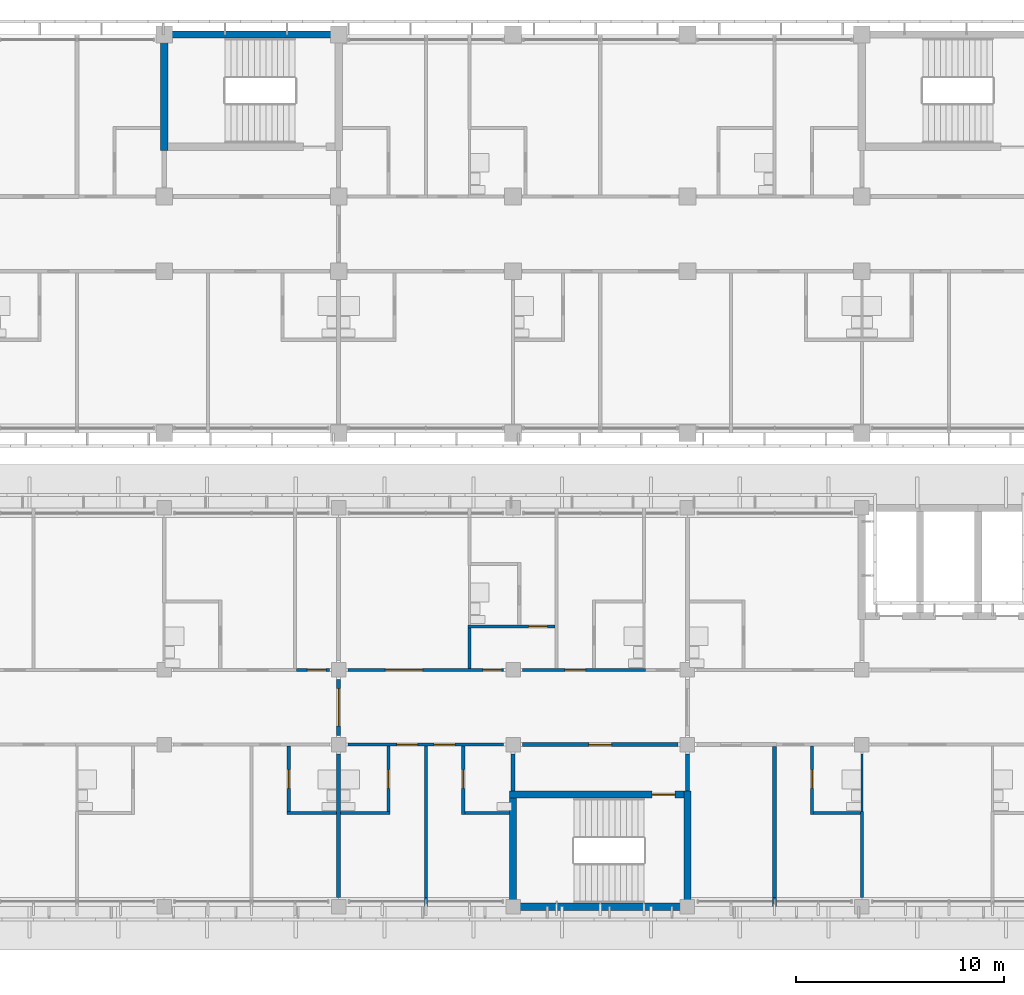
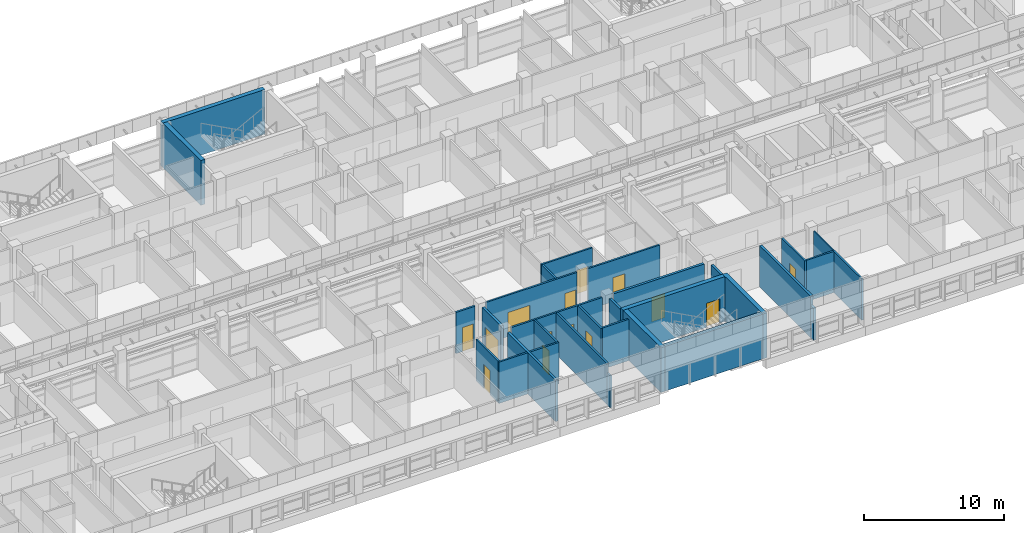
# One storey, part 33 of 71: 31 walls, 14 doors, 14 openings.
"""IFC4 building model written with IfcOpenShell, lengths in metres."""

from ifc_helpers import new_model, si_unit, direction, frame, frame_2d, origin, place, context, subcontext, project, spatial, rectangle, extrude, material, layer, layer_set, type_object, element, fill, save


model = new_model("IFC4")

# Units and contexts
model_context = context("Model", 3, precision=1e-05, world=origin(), true_north=direction((0.0, 1.0)))
body_context = subcontext(model_context, "Body", "Model", "MODEL_VIEW")
ifc_project = project(units=[si_unit("LENGTHUNIT", "METRE"), si_unit("AREAUNIT", "SQUARE_METRE"), si_unit("VOLUMEUNIT", "CUBIC_METRE"), si_unit("PLANEANGLEUNIT", "RADIAN"), si_unit("MASSUNIT", "GRAM", prefix="KILO")], contexts=[model_context])

# Site, building, storey
site_placement = place(None, origin())
site = spatial("IfcSite", under=ifc_project, at=site_placement, CompositionType="ELEMENT")
building_placement = place(site_placement, origin())
building = spatial("IfcBuilding", under=site, at=building_placement, Name="Bougainvillea Quay General Hospital", CompositionType="ELEMENT")
storey_placement = place(building_placement, frame((0.0, 0.0, 24.89990234375)))
storey = spatial("IfcBuildingStorey", under=building, at=storey_placement, Name="L05", CompositionType="ELEMENT", Elevation=24.89990234375)

# Walls
ifc_material_1 = material(Name="Gypsum board partition on steel studs", Category="steel")
ifc_layer_1 = layer(ifc_material_1, 0.10009765625)
ifc_layer_set_1 = layer_set([ifc_layer_1], Name="Gypsum board partition on steel studs")
wall_type_1 = type_object("IfcWallType", Name="Partition 100 Gypsum board partition", PredefinedType="PARTITIONING", material=ifc_layer_set_1)
wall_1_placement = place(storey_placement, frame((134.39990234375, 122.175048828125, 0.0), z_axis=(0.0, 0.0, 1.0), x_axis=(0.0, 1.0, 0.0)))
element("IfcWall", 1, at=wall_1_placement, inside=storey, type_object=wall_type_1, Name="Partition 100 mm", PredefinedType="PARTITIONING", context=body_context, shape_type="SweptSolid", body=[
    extrude(rectangle(XDim=2.77490234375, YDim=0.10009765625, at=frame_2d((1.387451171875, 0.0))), origin(), (0.0, 0.0, 1.0), 3.60009765625),
])
ifc_material_2 = material(Name="Gypsum board partition on steel studs, insulated", Category="steel")
ifc_layer_2 = layer(ifc_material_2, 0.14990234375)
ifc_layer_set_2 = layer_set([ifc_layer_2], Name="Gypsum board partition on steel studs, insulated")
wall_type_2 = type_object("IfcWallType", Name="Partition 150 Gypsum board partition", PredefinedType="PARTITIONING", material=ifc_layer_set_2)
wall_2_placement = place(storey_placement, frame((113.39990234375, 117.60009765625, 0.0), z_axis=(0.0, 0.0, 1.0), x_axis=(0.0, 1.0, 0.0)))
element("IfcWall", 2, at=wall_2_placement, inside=storey, type_object=wall_type_2, Name="Partition 150 mm", PredefinedType="PARTITIONING", context=body_context, shape_type="SweptSolid", body=[
    extrude(rectangle(XDim=0.449951171875, YDim=0.14990234375, at=frame_2d((0.22509765625, 0.0))), origin(), (0.0, 0.0, 1.0), 2.780029296875),
])
wall_3_placement = place(storey_placement, frame((113.39990234375, 118.050048828125, 0.0), z_axis=(0.0, 0.0, 1.0), x_axis=(0.0, 1.0, 0.0)))
element("IfcWall", 3, at=wall_3_placement, inside=storey, type_object=wall_type_2, Name="Partition 150 mm", PredefinedType="PARTITIONING", context=body_context, shape_type="SweptSolid", body=[
    extrude(rectangle(XDim=7.27490234375, YDim=0.14990234375, at=frame_2d((3.637451171875, 0.0))), origin(), (0.0, 0.0, 1.0), 3.60009765625),
])
for number, where, z_axis, x_axis, name in (
    (4, (106.72509765625, 122.10009765625, 0.0), (0.0, 0.0, 1.0), (1.0, 0.0, 0.0), "Partition 150 mm"),
    (5, (109.300048828125, 122.10009765625, 0.0), (0.0, 0.0, 1.0), (1.0, 0.0, 0.0), "Partition 150 mm"),
):
    element("IfcWall", number, at=place(storey_placement, frame(where, z_axis=z_axis, x_axis=x_axis)), inside=storey, type_object=wall_type_2, Name=name, PredefinedType="PARTITIONING", context=body_context, shape_type="SweptSolid", body=[
        extrude(rectangle(XDim=2.375, YDim=0.14990234375, at=frame_2d((1.1875, 0.0))), origin(), (0.0, 0.0, 1.0), 3.60009765625),
    ])
wall_4_placement = place(storey_placement, frame((134.39990234375, 118.050048828125, 0.0), z_axis=(0.0, 0.0, 1.0), x_axis=(0.0, 1.0, 0.0)))
element("IfcWall", 6, at=wall_4_placement, inside=storey, type_object=wall_type_2, Name="Partition 150 mm", PredefinedType="PARTITIONING", context=body_context, shape_type="SweptSolid", body=[
    extrude(rectangle(XDim=4.125, YDim=0.14990234375, at=frame_2d((2.0625, 0.0))), origin(), (0.0, 0.0, 1.0), 3.60009765625),
])

# Wall, opening, door
wall_5_placement = place(storey_placement, frame((115.425048828125, 131.10009765625, 0.0), z_axis=(0.0, 0.0, 1.0), x_axis=(1.0, 0.0, 0.0)))
wall_5 = element("IfcWall", 7, at=wall_5_placement, inside=storey, type_object=wall_type_2, Name="Partition 150 mm", PredefinedType="PARTITIONING", context=body_context, shape_type="SweptSolid", body=[
    extrude(rectangle(XDim=4.199951171875, YDim=0.14990234375, at=frame_2d((2.10009765625, 0.0))), origin(), (0.0, 0.0, 1.0), 3.60009765625),
])
opening_1_placement = place(wall_5_placement, frame((2.925048828125, 0.0, 0.0)))
opening_1 = element("IfcOpeningElement", 8, at=opening_1_placement, cuts=wall_5, Name="Opening L05.118", PredefinedType="OPENING", context=body_context, shape_type="SweptSolid", body=[
    extrude(rectangle(XDim=0.89990234375, YDim=2.10009765625, at=frame_2d((0.449951171875, 1.050048828125))), frame((0.0, 0.0849609375, 0.0), z_axis=(0.0, -1.0, 0.0), x_axis=(1.0, 0.0, 0.0)), (0.0, 0.0, 1.0), 0.169921875),
])
ifc_material_3 = material(Name="Solid-core timber door leaf in steel frame", Category="steel")
door_type_1 = type_object("IfcDoorType", Name="Single leaf door 900x2100 FD30S", OperationType="NOTDEFINED", PredefinedType="DOOR", material=ifc_material_3)
door_1_placement = place(opening_1_placement, origin())
door_1 = element("IfcDoor", 9, at=door_1_placement, inside=storey, type_object=door_type_1, Name="DT16 L05.118", OperationType="SINGLE_SWING_RIGHT", OverallHeight=2.10009765625, OverallWidth=0.89990234375, PredefinedType="DOOR", context=body_context, shape_type="SweptSolid", body=[
    extrude(rectangle(XDim=0.89990234375, YDim=2.10009765625, at=frame_2d((0.449951171875, 1.050048828125))), frame((0.0, 0.02490234375, 0.0), z_axis=(0.0, -1.0, 0.0), x_axis=(1.0, 0.0, 0.0)), (0.0, 0.0, 1.0), 0.050048828125),
])
fill(opening_1, door_1)

wall_6_placement = place(storey_placement, frame((106.800048828125, 122.175048828125, 0.0), z_axis=(0.0, 0.0, 1.0), x_axis=(0.0, 1.0, 0.0)))
wall_6 = element("IfcWall", 10, at=wall_6_placement, inside=storey, type_object=wall_type_2, Name="Partition 150 mm", PredefinedType="PARTITIONING", context=body_context, shape_type="SweptSolid", body=[
    extrude(rectangle(XDim=3.14990234375, YDim=0.14990234375, at=frame_2d((1.574951171875, 0.0))), origin(), (0.0, 0.0, 1.0), 3.60009765625),
])
opening_2_placement = place(wall_6_placement, frame((1.125, 0.0, 0.0)))
opening_2 = element("IfcOpeningElement", 11, at=opening_2_placement, cuts=wall_6, Name="Opening L05.111", PredefinedType="OPENING", context=body_context, shape_type="SweptSolid", body=[
    extrude(rectangle(XDim=0.89990234375, YDim=2.10009765625, at=frame_2d((0.449951171875, 1.050048828125))), frame((0.0, 0.0849609375, 0.0), z_axis=(0.0, -1.0, 0.0), x_axis=(1.0, 0.0, 0.0)), (0.0, 0.0, 1.0), 0.169921875),
])
door_type_2 = type_object("IfcDoorType", Name="Single leaf door 900x2100", OperationType="NOTDEFINED", PredefinedType="DOOR", material=ifc_material_3)
door_2_placement = place(opening_2_placement, frame((0.89990234375, 0.0, 0.0), z_axis=(0.0, 0.0, 1.0), x_axis=(-1.0, 0.0, 0.0)))
door_2 = element("IfcDoor", 12, at=door_2_placement, inside=storey, type_object=door_type_2, Name="DT07 L05.111", OperationType="SINGLE_SWING_LEFT", OverallHeight=2.10009765625, OverallWidth=0.89990234375, PredefinedType="DOOR", context=body_context, shape_type="SweptSolid", body=[
    extrude(rectangle(XDim=0.89990234375, YDim=2.10009765625, at=frame_2d((0.449951171875, 1.050048828125))), frame((0.0, 0.02490234375, 0.0), z_axis=(0.0, -1.0, 0.0), x_axis=(1.0, 0.0, 0.0)), (0.0, 0.0, 1.0), 0.050048828125),
])
fill(opening_2, door_2)

wall_7_placement = place(storey_placement, frame((111.60009765625, 122.175048828125, 0.0), z_axis=(0.0, 0.0, 1.0), x_axis=(0.0, 1.0, 0.0)))
wall_7 = element("IfcWall", 13, at=wall_7_placement, inside=storey, type_object=wall_type_2, Name="Partition 150 mm", PredefinedType="PARTITIONING", context=body_context, shape_type="SweptSolid", body=[
    extrude(rectangle(XDim=3.14990234375, YDim=0.14990234375, at=frame_2d((1.574951171875, 0.0))), origin(), (0.0, 0.0, 1.0), 3.60009765625),
])
opening_3_placement = place(wall_7_placement, frame((1.125, 0.0, 0.0)))
opening_3 = element("IfcOpeningElement", 14, at=opening_3_placement, cuts=wall_7, Name="Opening L05.113", PredefinedType="OPENING", context=body_context, shape_type="SweptSolid", body=[
    extrude(rectangle(XDim=0.89990234375, YDim=2.10009765625, at=frame_2d((0.449951171875, 1.050048828125))), frame((0.0, 0.0849609375, 0.0), z_axis=(0.0, -1.0, 0.0), x_axis=(1.0, 0.0, 0.0)), (0.0, 0.0, 1.0), 0.169921875),
])
door_3_placement = place(opening_3_placement, origin())
door_3 = element("IfcDoor", 15, at=door_3_placement, inside=storey, type_object=door_type_2, Name="DT07 L05.113", OperationType="SINGLE_SWING_RIGHT", OverallHeight=2.10009765625, OverallWidth=0.89990234375, PredefinedType="DOOR", context=body_context, shape_type="SweptSolid", body=[
    extrude(rectangle(XDim=0.89990234375, YDim=2.10009765625, at=frame_2d((0.449951171875, 1.050048828125))), frame((0.0, 0.02490234375, 0.0), z_axis=(0.0, -1.0, 0.0), x_axis=(1.0, 0.0, 0.0)), (0.0, 0.0, 1.0), 0.050048828125),
])
fill(opening_3, door_3)

wall_8_placement = place(storey_placement, frame((115.199951171875, 122.02490234375, 0.0), z_axis=(0.0, 0.0, 1.0), x_axis=(0.0, 1.0, 0.0)))
wall_8 = element("IfcWall", 16, at=wall_8_placement, inside=storey, type_object=wall_type_2, Name="Partition 150 mm", PredefinedType="PARTITIONING", context=body_context, shape_type="SweptSolid", body=[
    extrude(rectangle(XDim=3.300048828125, YDim=0.14990234375, at=frame_2d((1.64990234375, 0.0))), origin(), (0.0, 0.0, 1.0), 3.60009765625),
])
opening_4_placement = place(wall_8_placement, frame((1.27490234375, 0.0, 0.0)))
opening_4 = element("IfcOpeningElement", 17, at=opening_4_placement, cuts=wall_8, Name="Opening L05.115", PredefinedType="OPENING", context=body_context, shape_type="SweptSolid", body=[
    extrude(rectangle(XDim=0.89990234375, YDim=2.10009765625, at=frame_2d((0.449951171875, 1.050048828125))), frame((0.0, 0.0849609375, 0.0), z_axis=(0.0, -1.0, 0.0), x_axis=(1.0, 0.0, 0.0)), (0.0, 0.0, 1.0), 0.169921875),
])
door_4_placement = place(opening_4_placement, frame((0.89990234375, 0.0, 0.0), z_axis=(0.0, 0.0, 1.0), x_axis=(-1.0, 0.0, 0.0)))
door_4 = element("IfcDoor", 18, at=door_4_placement, inside=storey, type_object=door_type_2, Name="DT07 L05.115", OperationType="SINGLE_SWING_LEFT", OverallHeight=2.10009765625, OverallWidth=0.89990234375, PredefinedType="DOOR", context=body_context, shape_type="SweptSolid", body=[
    extrude(rectangle(XDim=0.89990234375, YDim=2.10009765625, at=frame_2d((0.449951171875, 1.050048828125))), frame((0.0, 0.02490234375, 0.0), z_axis=(0.0, -1.0, 0.0), x_axis=(1.0, 0.0, 0.0)), (0.0, 0.0, 1.0), 0.050048828125),
])
fill(opening_4, door_4)

wall_9_placement = place(storey_placement, frame((132.0, 122.02490234375, 0.0), z_axis=(0.0, 0.0, 1.0), x_axis=(0.0, 1.0, 0.0)))
wall_9 = element("IfcWall", 19, at=wall_9_placement, inside=storey, type_object=wall_type_2, Name="Partition 150 mm", PredefinedType="PARTITIONING", context=body_context, shape_type="SweptSolid", body=[
    extrude(rectangle(XDim=3.300048828125, YDim=0.14990234375, at=frame_2d((1.64990234375, 0.0))), origin(), (0.0, 0.0, 1.0), 3.60009765625),
])
opening_5_placement = place(wall_9_placement, frame((1.27490234375, 0.0, 0.0)))
opening_5 = element("IfcOpeningElement", 20, at=opening_5_placement, cuts=wall_9, Name="Opening L05.126", PredefinedType="OPENING", context=body_context, shape_type="SweptSolid", body=[
    extrude(rectangle(XDim=0.89990234375, YDim=2.10009765625, at=frame_2d((0.449951171875, 1.050048828125))), frame((0.0, 0.0849609375, 0.0), z_axis=(0.0, -1.0, 0.0), x_axis=(1.0, 0.0, 0.0)), (0.0, 0.0, 1.0), 0.169921875),
])
door_5_placement = place(opening_5_placement, frame((0.89990234375, 0.0, 0.0), z_axis=(0.0, 0.0, 1.0), x_axis=(-1.0, 0.0, 0.0)))
door_5 = element("IfcDoor", 21, at=door_5_placement, inside=storey, type_object=door_type_2, Name="DT07 L05.126", OperationType="SINGLE_SWING_LEFT", OverallHeight=2.10009765625, OverallWidth=0.89990234375, PredefinedType="DOOR", context=body_context, shape_type="SweptSolid", body=[
    extrude(rectangle(XDim=0.89990234375, YDim=2.10009765625, at=frame_2d((0.449951171875, 1.050048828125))), frame((0.0, 0.02490234375, 0.0), z_axis=(0.0, -1.0, 0.0), x_axis=(1.0, 0.0, 0.0)), (0.0, 0.0, 1.0), 0.050048828125),
])
fill(opening_5, door_5)

# Walls
wall_10_placement = place(storey_placement, frame((132.074951171875, 122.10009765625, 0.0), z_axis=(0.0, 0.0, 1.0), x_axis=(1.0, 0.0, 0.0)))
element("IfcWall", 22, at=wall_10_placement, inside=storey, type_object=wall_type_2, Name="Partition 150 mm", PredefinedType="PARTITIONING", context=body_context, shape_type="SweptSolid", body=[
    extrude(rectangle(XDim=2.25, YDim=0.14990234375, at=frame_2d((1.125, 0.0))), origin(), (0.0, 0.0, 1.0), 3.60009765625),
])
wall_11_placement = place(storey_placement, frame((115.27490234375, 122.10009765625, 0.0), z_axis=(0.0, 0.0, 1.0), x_axis=(1.0, 0.0, 0.0)))
element("IfcWall", 23, at=wall_11_placement, inside=storey, type_object=wall_type_2, Name="Partition 150 mm", PredefinedType="PARTITIONING", context=body_context, shape_type="SweptSolid", body=[
    extrude(rectangle(XDim=2.150146484375, YDim=0.14990234375, at=frame_2d((1.0751953125, 0.0))), origin(), (0.0, 0.0, 1.0), 3.60009765625),
])
wall_12_placement = place(storey_placement, frame((115.5, 129.074951171875, 0.0), z_axis=(0.0, 0.0, 1.0), x_axis=(0.0, 1.0, 0.0)))
element("IfcWall", 24, at=wall_12_placement, inside=storey, type_object=wall_type_2, Name="Partition 150 mm", PredefinedType="PARTITIONING", context=body_context, shape_type="SweptSolid", body=[
    extrude(rectangle(XDim=1.949951171875, YDim=0.14990234375, at=frame_2d((0.97509765625, 0.0))), origin(), (0.0, 0.0, 1.0), 3.60009765625),
])

# Wall, openings, doors
ifc_layer_3 = layer(ifc_material_2, 0.14990234375)
ifc_layer_set_3 = layer_set([ifc_layer_3], Name="Gypsum board partition on steel studs, insulated")
wall_type_3 = type_object("IfcWallType", Name="Partition 150 Gypsum board partition EI 30", PredefinedType="PARTITIONING", material=ifc_layer_set_3)
wall_13_placement = place(storey_placement, frame((117.14990234375, 125.39990234375, 0.0), z_axis=(0.0, 0.0, 1.0), x_axis=(-1.0, 0.0, 0.0)))
wall_13 = element("IfcWall", 25, at=wall_13_placement, inside=storey, type_object=wall_type_3, Name="Partition 150 mm EI 30", PredefinedType="PARTITIONING", context=body_context, shape_type="SweptSolid", body=[
    extrude(rectangle(XDim=7.5, YDim=0.14990234375, at=frame_2d((3.75, 0.0))), origin(), (0.0, 0.0, 1.0), 3.60009765625),
])
opening_6_placement = place(wall_13_placement, frame((4.14990234375, 0.0, 0.0)))
opening_6 = element("IfcOpeningElement", 26, at=opening_6_placement, cuts=wall_13, Name="Opening L05.112", PredefinedType="OPENING", context=body_context, shape_type="SweptSolid", body=[
    extrude(rectangle(XDim=1.0, YDim=2.10009765625, at=frame_2d((0.5, 1.050048828125))), frame((0.0, 0.0849609375, 0.0), z_axis=(0.0, -1.0, 0.0), x_axis=(1.0, 0.0, 0.0)), (0.0, 0.0, 1.0), 0.169921875),
])
opening_7_placement = place(wall_13_placement, frame((2.35009765625, 0.0, 0.0)))
opening_7 = element("IfcOpeningElement", 27, at=opening_7_placement, cuts=wall_13, Name="Opening L05.114", PredefinedType="OPENING", context=body_context, shape_type="SweptSolid", body=[
    extrude(rectangle(XDim=1.0, YDim=2.10009765625, at=frame_2d((0.5, 1.050048828125))), frame((0.0, 0.0849609375, 0.0), z_axis=(0.0, -1.0, 0.0), x_axis=(1.0, 0.0, 0.0)), (0.0, 0.0, 1.0), 0.169921875),
])
door_type_3 = type_object("IfcDoorType", Name="Single leaf door 1000x2100 FD30S", OperationType="NOTDEFINED", PredefinedType="DOOR", material=ifc_material_3)
door_6_placement = place(opening_6_placement, origin())
door_6 = element("IfcDoor", 28, at=door_6_placement, inside=storey, type_object=door_type_3, Name="DT15 L05.112", OperationType="SINGLE_SWING_RIGHT", OverallHeight=2.10009765625, OverallWidth=1.0, PredefinedType="DOOR", context=body_context, shape_type="SweptSolid", body=[
    extrude(rectangle(XDim=1.0, YDim=2.10009765625, at=frame_2d((0.5, 1.050048828125))), frame((0.0, 0.02490234375, 0.0), z_axis=(0.0, -1.0, 0.0), x_axis=(1.0, 0.0, 0.0)), (0.0, 0.0, 1.0), 0.050048828125),
])
fill(opening_6, door_6)
door_7_placement = place(opening_7_placement, origin())
door_7 = element("IfcDoor", 29, at=door_7_placement, inside=storey, type_object=door_type_3, Name="DT15 L05.114", OperationType="SINGLE_SWING_LEFT", OverallHeight=2.10009765625, OverallWidth=1.0, PredefinedType="DOOR", context=body_context, shape_type="SweptSolid", body=[
    extrude(rectangle(XDim=1.0, YDim=2.10009765625, at=frame_2d((0.5, 1.050048828125))), frame((0.0, 0.02490234375, 0.0), z_axis=(0.0, -1.0, 0.0), x_axis=(1.0, 0.0, 0.0)), (0.0, 0.0, 1.0), 0.050048828125),
])
fill(opening_7, door_7)

# Wall, opening, door
wall_14_placement = place(storey_placement, frame((123.97509765625, 129.0, 0.0), z_axis=(0.0, 0.0, 1.0), x_axis=(-1.0, 0.0, 0.0)))
wall_14 = element("IfcWall", 30, at=wall_14_placement, inside=storey, type_object=wall_type_3, Name="Partition 150 mm EI 30", PredefinedType="PARTITIONING", context=body_context, shape_type="SweptSolid", body=[
    extrude(rectangle(XDim=5.925048828125, YDim=0.14990234375, at=frame_2d((2.96240234375, 0.0))), origin(), (0.0, 0.0, 1.0), 3.60009765625),
])
opening_8_placement = place(wall_14_placement, frame((2.875, 0.0, 0.0)))
opening_8 = element("IfcOpeningElement", 31, at=opening_8_placement, cuts=wall_14, Name="Opening L05.120", PredefinedType="OPENING", context=body_context, shape_type="SweptSolid", body=[
    extrude(rectangle(XDim=1.0, YDim=2.10009765625, at=frame_2d((0.5, 1.050048828125))), frame((0.0, 0.0849609375, 0.0), z_axis=(0.0, -1.0, 0.0), x_axis=(1.0, 0.0, 0.0)), (0.0, 0.0, 1.0), 0.169921875),
])
door_8_placement = place(opening_8_placement, frame((1.0, 0.0, 0.0), z_axis=(0.0, 0.0, 1.0), x_axis=(-1.0, 0.0, 0.0)))
door_8 = element("IfcDoor", 32, at=door_8_placement, inside=storey, type_object=door_type_3, Name="DT15 L05.120", OperationType="SINGLE_SWING_LEFT", OverallHeight=2.10009765625, OverallWidth=1.0, PredefinedType="DOOR", context=body_context, shape_type="SweptSolid", body=[
    extrude(rectangle(XDim=1.0, YDim=2.10009765625, at=frame_2d((0.5, 1.050048828125))), frame((0.0, 0.02490234375, 0.0), z_axis=(0.0, -1.0, 0.0), x_axis=(1.0, 0.0, 0.0)), (0.0, 0.0, 1.0), 0.050048828125),
])
fill(opening_8, door_8)

# Wall, openings, doors
wall_15_placement = place(storey_placement, frame((117.14990234375, 129.0, 0.0), z_axis=(0.0, 0.0, 1.0), x_axis=(-1.0, 0.0, 0.0)))
wall_15 = element("IfcWall", 33, at=wall_15_placement, inside=storey, type_object=wall_type_3, Name="Partition 150 mm EI 30", PredefinedType="PARTITIONING", context=body_context, shape_type="SweptSolid", body=[
    extrude(rectangle(XDim=7.5, YDim=0.14990234375, at=frame_2d((3.75, 0.0))), origin(), (0.0, 0.0, 1.0), 3.60009765625),
])
opening_9_placement = place(wall_15_placement, frame((3.89990234375, 0.0, 0.0)))
opening_9 = element("IfcOpeningElement", 34, at=opening_9_placement, cuts=wall_15, Name="Opening L05.116", PredefinedType="OPENING", context=body_context, shape_type="SweptSolid", body=[
    extrude(rectangle(XDim=1.800048828125, YDim=2.10009765625, at=frame_2d((0.89990234375, 1.050048828125))), frame((0.0, 0.0849609375, 0.0), z_axis=(0.0, -1.0, 0.0), x_axis=(1.0, 0.0, 0.0)), (0.0, 0.0, 1.0), 0.169921875),
])
opening_10_placement = place(wall_15_placement, frame((0.10009765625, 0.0, 0.0)))
opening_10 = element("IfcOpeningElement", 35, at=opening_10_placement, cuts=wall_15, Name="Opening L05.117", PredefinedType="OPENING", context=body_context, shape_type="SweptSolid", body=[
    extrude(rectangle(XDim=0.89990234375, YDim=2.10009765625, at=frame_2d((0.449951171875, 1.050048828125))), frame((0.0, 0.0849609375, 0.0), z_axis=(0.0, -1.0, 0.0), x_axis=(1.0, 0.0, 0.0)), (0.0, 0.0, 1.0), 0.169921875),
])
ifc_material_4 = material(Name="Solid-core timber door leaves in steel frame", Category="steel")
door_type_4 = type_object("IfcDoorType", Name="Double leaf door 1800x2100 FD30S", OperationType="DOUBLE_DOOR_SINGLE_SWING", PredefinedType="DOOR", material=ifc_material_4)
door_9_placement = place(opening_9_placement, frame((1.800048828125, 0.0, 0.0), z_axis=(0.0, 0.0, 1.0), x_axis=(-1.0, 0.0, 0.0)))
door_9 = element("IfcDoor", 36, at=door_9_placement, inside=storey, type_object=door_type_4, Name="DT17 L05.116", OperationType="DOUBLE_DOOR_SINGLE_SWING", OverallHeight=2.10009765625, OverallWidth=1.800048828125, PredefinedType="DOOR", context=body_context, shape_type="SweptSolid", body=[
    extrude(rectangle(XDim=1.800048828125, YDim=2.10009765625, at=frame_2d((0.89990234375, 1.050048828125))), frame((0.0, 0.02490234375, 0.0), z_axis=(0.0, -1.0, 0.0), x_axis=(1.0, 0.0, 0.0)), (0.0, 0.0, 1.0), 0.050048828125),
])
fill(opening_9, door_9)
door_10_placement = place(opening_10_placement, frame((0.89990234375, 0.0, 0.0), z_axis=(0.0, 0.0, 1.0), x_axis=(-1.0, 0.0, 0.0)))
door_10 = element("IfcDoor", 37, at=door_10_placement, inside=storey, type_object=door_type_1, Name="DT16 L05.117", OperationType="SINGLE_SWING_RIGHT", OverallHeight=2.10009765625, OverallWidth=0.89990234375, PredefinedType="DOOR", context=body_context, shape_type="SweptSolid", body=[
    extrude(rectangle(XDim=0.89990234375, YDim=2.10009765625, at=frame_2d((0.449951171875, 1.050048828125))), frame((0.0, 0.02490234375, 0.0), z_axis=(0.0, -1.0, 0.0), x_axis=(1.0, 0.0, 0.0)), (0.0, 0.0, 1.0), 0.050048828125),
])
fill(opening_10, door_10)

# Wall, opening, door
ifc_layer_4 = layer(ifc_material_2, 0.14990234375)
ifc_layer_set_4 = layer_set([ifc_layer_4], Name="Gypsum board partition on steel studs, insulated")
wall_type_4 = type_object("IfcWallType", Name="Partition 150 Gypsum board partition EI 60", PredefinedType="PARTITIONING", material=ifc_layer_set_4)
wall_16_placement = place(storey_placement, frame((107.175048828125, 129.0, 0.0), z_axis=(0.0, 0.0, 1.0), x_axis=(1.0, 0.0, 0.0)))
wall_16 = element("IfcWall", 38, at=wall_16_placement, inside=storey, type_object=wall_type_4, Name="Partition 150 mm EI 60", PredefinedType="PARTITIONING", context=body_context, shape_type="SweptSolid", body=[
    extrude(rectangle(XDim=1.574951171875, YDim=0.14990234375, at=frame_2d((0.78759765625, 0.0))), origin(), (0.0, 0.0, 1.0), 3.60009765625),
])
opening_11_placement = place(wall_16_placement, frame((0.52490234375, 0.0, 0.0)))
opening_11 = element("IfcOpeningElement", 39, at=opening_11_placement, cuts=wall_16, Name="Opening L05.104", PredefinedType="OPENING", context=body_context, shape_type="SweptSolid", body=[
    extrude(rectangle(XDim=0.89990234375, YDim=2.10009765625, at=frame_2d((0.449951171875, 1.050048828125))), frame((0.0, 0.0849609375, 0.0), z_axis=(0.0, -1.0, 0.0), x_axis=(1.0, 0.0, 0.0)), (0.0, 0.0, 1.0), 0.169921875),
])
door_type_5 = type_object("IfcDoorType", Name="Single leaf door 900x2100 FD60", OperationType="NOTDEFINED", PredefinedType="DOOR", material=ifc_material_3)
door_11_placement = place(opening_11_placement, origin())
door_11 = element("IfcDoor", 40, at=door_11_placement, inside=storey, type_object=door_type_5, Name="DT18 L05.104", OperationType="SINGLE_SWING_RIGHT", OverallHeight=2.10009765625, OverallWidth=0.89990234375, PredefinedType="DOOR", context=body_context, shape_type="SweptSolid", body=[
    extrude(rectangle(XDim=0.89990234375, YDim=2.10009765625, at=frame_2d((0.449951171875, 1.050048828125))), frame((0.0, 0.02490234375, 0.0), z_axis=(0.0, -1.0, 0.0), x_axis=(1.0, 0.0, 0.0)), (0.0, 0.0, 1.0), 0.050048828125),
])
fill(opening_11, door_11)

ifc_material_5 = material(Name="Fire-rated autoclaved aerated block wall, plastered")
ifc_layer_5 = layer(ifc_material_5, 0.199951171875)
ifc_layer_set_5 = layer_set([ifc_layer_5], Name="Fire-rated autoclaved aerated block wall, plastered")
wall_type_5 = type_object("IfcWallType", Name="Partition 200 Fire-rated autoclaved aerated block wall EI 120", PredefinedType="SOLIDWALL", material=ifc_layer_set_5)
wall_17_placement = place(storey_placement, frame((109.199951171875, 128.550048828125, 0.0), z_axis=(0.0, 0.0, 1.0), x_axis=(0.0, -1.0, 0.0)))
wall_17 = element("IfcWall", 41, at=wall_17_placement, inside=storey, type_object=wall_type_5, Name="Partition 200 mm EI 120", PredefinedType="SOLIDWALL", context=body_context, shape_type="SweptSolid", body=[
    extrude(rectangle(XDim=2.699951171875, YDim=0.199951171875, at=frame_2d((1.35009765625, 0.0))), origin(), (0.0, 0.0, 1.0), 3.60009765625),
])
opening_12_placement = place(wall_17_placement, frame((0.449951171875, 0.0, 0.0)))
opening_12 = element("IfcOpeningElement", 42, at=opening_12_placement, cuts=wall_17, Name="Opening L05.076", PredefinedType="OPENING", context=body_context, shape_type="SweptSolid", body=[
    extrude(rectangle(XDim=1.800048828125, YDim=2.10009765625, at=frame_2d((0.89990234375, 1.050048828125))), frame((0.0, 0.10986328125, 0.0), z_axis=(0.0, -1.0, 0.0), x_axis=(1.0, 0.0, 0.0)), (0.0, 0.0, 1.0), 0.219970703125),
])
ifc_material_6 = material(Name="Steel fire door leaves in steel frame", Category="steel")
door_type_6 = type_object("IfcDoorType", Name="Steel double leaf door 1800x2100 FD90", OperationType="DOUBLE_DOOR_SINGLE_SWING", PredefinedType="DOOR", material=ifc_material_6)
door_12_placement = place(opening_12_placement, origin())
door_12 = element("IfcDoor", 43, at=door_12_placement, inside=storey, type_object=door_type_6, Name="DT03 L05.076", OperationType="DOUBLE_DOOR_SINGLE_SWING", OverallHeight=2.10009765625, OverallWidth=1.800048828125, PredefinedType="DOOR", context=body_context, shape_type="SweptSolid", body=[
    extrude(rectangle(XDim=1.800048828125, YDim=2.10009765625, at=frame_2d((0.89990234375, 1.050048828125))), frame((0.0, 0.02490234375, 0.0), z_axis=(0.0, -1.0, 0.0), x_axis=(1.0, 0.0, 0.0)), (0.0, 0.0, 1.0), 0.050048828125),
])
fill(opening_12, door_12)

# Walls
wall_18_placement = place(storey_placement, frame((109.199951171875, 124.949951171875, 0.0), z_axis=(0.0, 0.0, 1.0), x_axis=(0.0, -1.0, 0.0)))
element("IfcWall", 44, at=wall_18_placement, inside=storey, type_object=wall_type_5, Name="Partition 200 mm EI 120", PredefinedType="SOLIDWALL", context=body_context, shape_type="SweptSolid", body=[
    extrude(rectangle(XDim=6.89990234375, YDim=0.199951171875, at=frame_2d((3.449951171875, 0.0))), origin(), (0.0, 0.0, 1.0), 3.60009765625),
])
wall_19_placement = place(storey_placement, frame((126.0, 124.949951171875, 0.0), z_axis=(0.0, 0.0, 1.0), x_axis=(0.0, -1.0, 0.0)))
element("IfcWall", 45, at=wall_19_placement, inside=storey, type_object=wall_type_5, Name="Partition 200 mm EI 120", PredefinedType="SOLIDWALL", context=body_context, shape_type="SweptSolid", body=[
    extrude(rectangle(XDim=1.77490234375, YDim=0.199951171875, at=frame_2d((0.887451171875, 0.0))), origin(), (0.0, 0.0, 1.0), 3.60009765625),
])

# Wall, opening, door
wall_20_placement = place(storey_placement, frame((118.050048828125, 125.39990234375, 0.0), z_axis=(0.0, 0.0, 1.0), x_axis=(1.0, 0.0, 0.0)))
wall_20 = element("IfcWall", 46, at=wall_20_placement, inside=storey, type_object=wall_type_5, Name="Partition 200 mm EI 120", PredefinedType="SOLIDWALL", context=body_context, shape_type="SweptSolid", body=[
    extrude(rectangle(XDim=7.5, YDim=0.199951171875, at=frame_2d((3.75, 0.0))), origin(), (0.0, 0.0, 1.0), 3.60009765625),
])
opening_13_placement = place(wall_20_placement, frame((3.199951171875, 0.0, 0.0)))
opening_13 = element("IfcOpeningElement", 47, at=opening_13_placement, cuts=wall_20, Name="Opening L05.162", PredefinedType="OPENING", context=body_context, shape_type="SweptSolid", body=[
    extrude(rectangle(XDim=1.10009765625, YDim=2.10009765625, at=frame_2d((0.550048828125, 1.050048828125))), frame((0.0, 0.10986328125, 0.0), z_axis=(0.0, -1.0, 0.0), x_axis=(1.0, 0.0, 0.0)), (0.0, 0.0, 1.0), 0.219970703125),
])
ifc_material_7 = material(Name="Steel fire door leaf in steel frame", Category="steel")
door_type_7 = type_object("IfcDoorType", Name="Steel single leaf door 1100x2100 FD60", OperationType="NOTDEFINED", PredefinedType="DOOR", material=ifc_material_7)
door_13_placement = place(opening_13_placement, frame((1.10009765625, 0.0, 0.0), z_axis=(0.0, 0.0, 1.0), x_axis=(-1.0, 0.0, 0.0)))
door_13 = element("IfcDoor", 48, at=door_13_placement, inside=storey, type_object=door_type_7, Name="DT04 L05.162", OperationType="SINGLE_SWING_LEFT", OverallHeight=2.10009765625, OverallWidth=1.10009765625, PredefinedType="DOOR", context=body_context, shape_type="SweptSolid", body=[
    extrude(rectangle(XDim=1.10009765625, YDim=2.10009765625, at=frame_2d((0.550048828125, 1.050048828125))), frame((0.0, 0.02490234375, 0.0), z_axis=(0.0, -1.0, 0.0), x_axis=(1.0, 0.0, 0.0)), (0.0, 0.0, 1.0), 0.050048828125),
])
fill(opening_13, door_13)

# Walls
wall_21_placement = place(storey_placement, frame((130.199951171875, 117.60009765625, 0.0), z_axis=(0.0, 0.0, 1.0), x_axis=(0.0, 1.0, 0.0)))
element("IfcWall", 49, at=wall_21_placement, inside=storey, type_object=wall_type_5, Name="Partition 200 mm EI 120", PredefinedType="SOLIDWALL", context=body_context, shape_type="SweptSolid", body=[
    extrude(rectangle(XDim=0.449951171875, YDim=0.199951171875, at=frame_2d((0.22509765625, 0.0))), origin(), (0.0, 0.0, 1.0), 2.780029296875),
])
wall_22_placement = place(storey_placement, frame((130.199951171875, 118.050048828125, 0.0), z_axis=(0.0, 0.0, 1.0), x_axis=(0.0, 1.0, 0.0)))
element("IfcWall", 50, at=wall_22_placement, inside=storey, type_object=wall_type_5, Name="Partition 200 mm EI 120", PredefinedType="SOLIDWALL", context=body_context, shape_type="SweptSolid", body=[
    extrude(rectangle(XDim=7.25, YDim=0.199951171875, at=frame_2d((3.625, 0.0))), origin(), (0.0, 0.0, 1.0), 3.60009765625),
])
wall_23_placement = place(storey_placement, frame((117.60009765625, 123.175048828125, 0.0), z_axis=(0.0, 0.0, 1.0), x_axis=(0.0, 1.0, 0.0)))
element("IfcWall", 51, at=wall_23_placement, inside=storey, type_object=wall_type_5, Name="Partition 200 mm EI 120", PredefinedType="SOLIDWALL", context=body_context, shape_type="SweptSolid", body=[
    extrude(rectangle(XDim=1.77490234375, YDim=0.199951171875, at=frame_2d((0.887451171875, 0.0))), origin(), (0.0, 0.0, 1.0), 3.60009765625),
])
ifc_material_8 = material(Name="Concrete C40", Category="concrete")
ifc_layer_6 = layer(ifc_material_8, 0.35009765625)
ifc_layer_set_6 = layer_set([ifc_layer_6], Name="Concrete C40")
wall_type_6 = type_object("IfcWallType", Name="RC SHEAR WALL 350 C40", PredefinedType="SHEAR", material=ifc_layer_set_6)
wall_24_placement = place(storey_placement, frame((100.625, 159.60009765625, 0.0), z_axis=(0.0, 0.0, 1.0), x_axis=(1.0, 0.0, 0.0)))
element("IfcWall", 52, at=wall_24_placement, inside=storey, type_object=wall_type_6, Name="Shear wall L05", PredefinedType="SHEAR", context=body_context, shape_type="SweptSolid", body=[
    extrude(rectangle(XDim=8.39990234375, YDim=0.35009765625, at=frame_2d((4.199951171875, 0.0))), origin(), (0.0, 0.0, 1.0), 3.900146484375),
])
wall_25_placement = place(storey_placement, frame((100.800048828125, 154.02490234375, 0.0), z_axis=(0.0, 0.0, 1.0), x_axis=(0.0, 1.0, 0.0)))
element("IfcWall", 53, at=wall_25_placement, inside=storey, type_object=wall_type_6, Name="Shear wall L05", PredefinedType="SHEAR", context=body_context, shape_type="SweptSolid", body=[
    extrude(rectangle(XDim=5.400146484375, YDim=0.35009765625, at=frame_2d((2.7001953125, 0.0))), origin(), (0.0, 0.0, 1.0), 3.900146484375),
])

# Wall, opening, door
wall_26_placement = place(storey_placement, frame((117.425048828125, 123.0, 0.0), z_axis=(0.0, 0.0, 1.0), x_axis=(1.0, 0.0, 0.0)))
wall_26 = element("IfcWall", 54, at=wall_26_placement, inside=storey, type_object=wall_type_6, Name="Shear wall L05", PredefinedType="SHEAR", context=body_context, shape_type="SweptSolid", body=[
    extrude(rectangle(XDim=8.39990234375, YDim=0.35009765625, at=frame_2d((4.199951171875, 0.0))), origin(), (0.0, 0.0, 1.0), 3.900146484375),
])
opening_14_placement = place(wall_26_placement, frame((6.875, 0.0, 0.0)))
opening_14 = element("IfcOpeningElement", 55, at=opening_14_placement, cuts=wall_26, Name="Opening L05.161", PredefinedType="OPENING", context=body_context, shape_type="SweptSolid", body=[
    extrude(rectangle(XDim=1.10009765625, YDim=2.10009765625, at=frame_2d((0.550048828125, 1.050048828125))), frame((0.0, 0.18505859375, 0.0), z_axis=(0.0, -1.0, 0.0), x_axis=(1.0, 0.0, 0.0)), (0.0, 0.0, 1.0), 0.3701171875),
])
door_14_placement = place(opening_14_placement, frame((1.10009765625, 0.0, 0.0), z_axis=(0.0, 0.0, 1.0), x_axis=(-1.0, 0.0, 0.0)))
door_14 = element("IfcDoor", 56, at=door_14_placement, inside=storey, type_object=door_type_7, Name="DT04 L05.161", OperationType="SINGLE_SWING_LEFT", OverallHeight=2.10009765625, OverallWidth=1.10009765625, PredefinedType="DOOR", context=body_context, shape_type="SweptSolid", body=[
    extrude(rectangle(XDim=1.10009765625, YDim=2.10009765625, at=frame_2d((0.550048828125, 1.050048828125))), frame((0.0, 0.02490234375, 0.0), z_axis=(0.0, -1.0, 0.0), x_axis=(1.0, 0.0, 0.0)), (0.0, 0.0, 1.0), 0.050048828125),
])
fill(opening_14, door_14)

# Walls
wall_27_placement = place(storey_placement, frame((117.60009765625, 117.425048828125, 0.0), z_axis=(0.0, 0.0, 1.0), x_axis=(0.0, 1.0, 0.0)))
element("IfcWall", 57, at=wall_27_placement, inside=storey, type_object=wall_type_6, Name="Shear wall L05", PredefinedType="SHEAR", context=body_context, shape_type="SweptSolid", body=[
    extrude(rectangle(XDim=5.39990234375, YDim=0.35009765625, at=frame_2d((2.699951171875, 0.0))), origin(), (0.0, 0.0, 1.0), 3.900146484375),
])
wall_28_placement = place(storey_placement, frame((117.77490234375, 117.60009765625, 0.0), z_axis=(0.0, 0.0, 1.0), x_axis=(1.0, 0.0, 0.0)))
element("IfcWall", 58, at=wall_28_placement, inside=storey, type_object=wall_type_6, Name="Shear wall L05", PredefinedType="SHEAR", context=body_context, shape_type="SweptSolid", body=[
    extrude(rectangle(XDim=8.050048828125, YDim=0.35009765625, at=frame_2d((4.02490234375, 0.0))), origin(), (0.0, 0.0, 1.0), 3.900146484375),
])
wall_29_placement = place(storey_placement, frame((126.0, 117.425048828125, 0.0), z_axis=(0.0, 0.0, 1.0), x_axis=(0.0, 1.0, 0.0)))
element("IfcWall", 59, at=wall_29_placement, inside=storey, type_object=wall_type_6, Name="Shear wall L05", PredefinedType="SHEAR", context=body_context, shape_type="SweptSolid", body=[
    extrude(rectangle(XDim=5.75, YDim=0.35009765625, at=frame_2d((2.875, 0.0))), origin(), (0.0, 0.0, 1.0), 3.900146484375),
])

save(model, "model.ifc")
